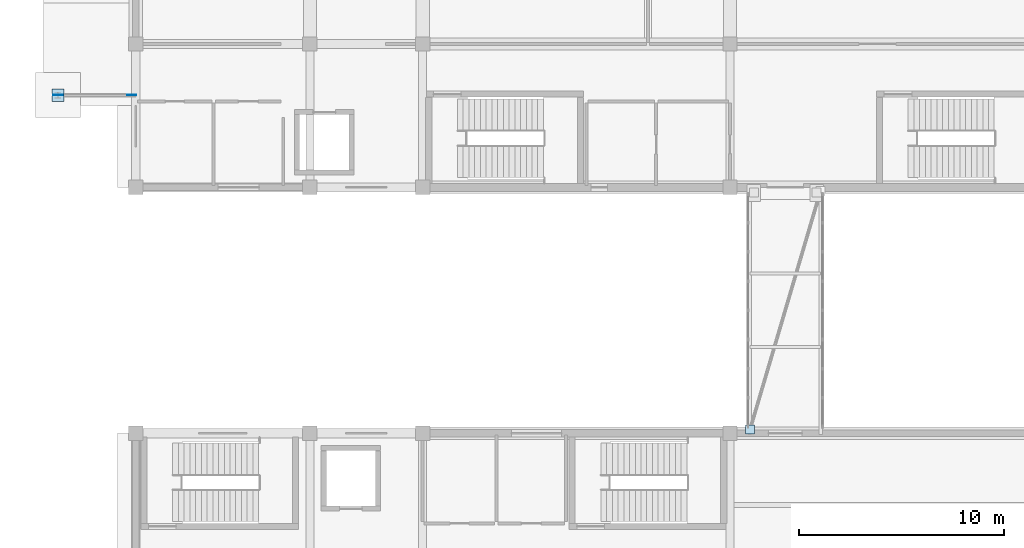
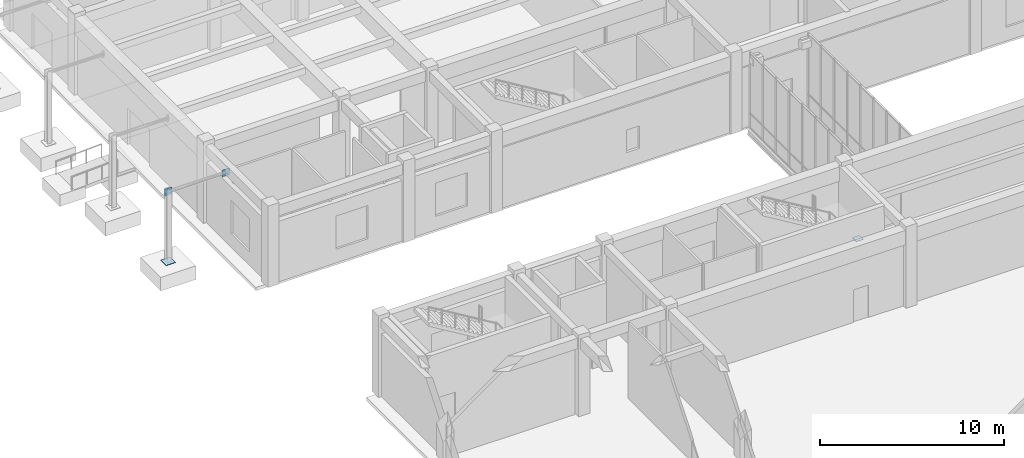
# One storey, part 14 of 40: 4 plates.
"""IFC4 building model written with IfcOpenShell, lengths in metres."""

import ifcopenshell
import ifcopenshell.guid

model = None  # the IFC model being written
_history = None  # IfcOwnerHistory: only IFC2X3 demands one
_inside = {}  # id of a spatial element -> (the spatial element, [elements in it])
_under = {}  # id of a project, library or spatial element -> (it, [spatial elements below it])
_declared = {}  # id of a project -> (the project, [libraries it declares])
_typed = {}  # id of a type object -> (the type object, [elements of that type])
_made_of = {}  # id of a material, layer set ... -> (it, [elements and type objects made of it])


def new_model(schema):
    """Start an empty IFC model of exactly this schema.

    Asked for "IFC4X3", IfcOpenShell would pick the latest addendum, in which some entities
    have other attributes; the version numbers below select the first issue.
    IFC2X3 requires an IfcOwnerHistory on every rooted entity: one is made here for all.
    """
    global model, _history
    if schema == "IFC4X3":
        model = ifcopenshell.file(schema_version=(4, 3, 0, 0))
    else:
        model = ifcopenshell.file(schema=schema)
    _inside.clear()
    _under.clear()
    _declared.clear()
    _typed.clear()
    _made_of.clear()
    _history = None
    if model.schema == "IFC2X3":
        org = make("IfcOrganization", Name="unknown")
        user = make(
            "IfcPersonAndOrganization",
            ThePerson=make("IfcPerson", FamilyName="unknown"),
            TheOrganization=org,
        )
        app = make(
            "IfcApplication",
            ApplicationDeveloper=org,
            Version="unknown",
            ApplicationFullName="unknown",
            ApplicationIdentifier="unknown",
        )
        _history = make(
            "IfcOwnerHistory",
            OwningUser=user,
            OwningApplication=app,
            ChangeAction="ADDED",
            CreationDate=0,
        )
    return model


def make(cls, **values):
    """One entity of the class cls with the attributes given. An attribute that is None is left unset."""
    return model.create_entity(
        cls, **{name: value for name, value in values.items() if value is not None}
    )


def rooted(cls, **values):
    """An entity with a GlobalId (a new one), such as an element, a storey or a relation."""
    return make(cls, GlobalId=ifcopenshell.guid.new(), OwnerHistory=_history, **values)


def si_unit(unit_type, name, prefix=None):
    """IfcSIUnit, for example si_unit("LENGTHUNIT", "METRE", prefix="MILLI")."""
    return make("IfcSIUnit", UnitType=unit_type, Prefix=prefix, Name=name)


def assignment(units):
    """IfcUnitAssignment: the units of a project."""
    return None if units is None else make("IfcUnitAssignment", Units=units)


def point(xyz):
    """IfcCartesianPoint."""
    return None if xyz is None else make("IfcCartesianPoint", Coordinates=xyz)


def direction(xyz):
    """IfcDirection."""
    return None if xyz is None else make("IfcDirection", DirectionRatios=xyz)


def frame(location, z_axis=None, x_axis=None):
    """IfcAxis2Placement3D, a coordinate frame: its origin and axes. An axis left out is left unset."""
    return make(
        "IfcAxis2Placement3D",
        Location=point(location),
        Axis=direction(z_axis),
        RefDirection=direction(x_axis),
    )


def frame_2d(location, x_axis=None):
    """IfcAxis2Placement2D, a coordinate frame in the plane: its origin and x axis."""
    return make(
        "IfcAxis2Placement2D", Location=point(location), RefDirection=direction(x_axis)
    )


def origin():
    """The frame at (0, 0, 0) with its axes left unset."""
    return frame((0.0, 0.0, 0.0))


def origin_2d():
    """The frame at (0, 0) in the plane with its x axis left unset."""
    return frame_2d((0.0, 0.0))


def place(relative_to, where):
    """IfcLocalPlacement: puts the frame where relative to a parent placement (None: the world)."""
    return make(
        "IfcLocalPlacement", PlacementRelTo=relative_to, RelativePlacement=where
    )


def context(
    kind, dimensions, precision=None, world=None, true_north=None, identifier=None
):
    """IfcGeometricRepresentationContext, for example the 3D "Model" context."""
    return make(
        "IfcGeometricRepresentationContext",
        ContextIdentifier=identifier,
        ContextType=kind,
        CoordinateSpaceDimension=dimensions,
        Precision=precision,
        WorldCoordinateSystem=world,
        TrueNorth=true_north,
    )


def subcontext(parent, identifier, kind, view, scale=None):
    """IfcGeometricRepresentationSubContext, for example "Body" below "Model"."""
    return make(
        "IfcGeometricRepresentationSubContext",
        ContextIdentifier=identifier,
        ContextType=kind,
        ParentContext=parent,
        TargetScale=scale,
        TargetView=view,
    )


def project(units=None, contexts=None):
    """IfcProject with its units and contexts."""
    return rooted(
        "IfcProject",
        Name="project",
        RepresentationContexts=contexts,
        UnitsInContext=assignment(units),
    )


def spatial(cls, under=None, at=None, **own):
    """A site, building, storey or space (cls), placed at a placement, below another one or the project."""
    s = rooted(cls, ObjectPlacement=at, **own)
    if under is not None:
        _under.setdefault(under.id(), (under, []))[1].append(s)
    return s


def profile(cls, at=None, kind="AREA", **sizes):
    """A parametric profile (cls). Its sizes go by their IFC names, for example OverallWidth=200.0."""
    return make(cls, ProfileType=kind, Position=at, **sizes)


def rectangle(**sizes):
    """IfcRectangleProfileDef."""
    return profile("IfcRectangleProfileDef", **sizes)


def extrude(swept, where, along, depth):
    """IfcExtrudedAreaSolid: the profile swept, set in the frame where, extruded along a direction by depth."""
    return make(
        "IfcExtrudedAreaSolid",
        SweptArea=swept,
        Position=where,
        ExtrudedDirection=direction(along),
        Depth=depth,
    )


def shape(context_of_items, identifier, shape_type, items):
    """IfcShapeRepresentation: the items that make up one representation, for example the "Body"."""
    return make(
        "IfcShapeRepresentation",
        ContextOfItems=context_of_items,
        RepresentationIdentifier=identifier,
        RepresentationType=shape_type,
        Items=items,
    )


def material(Name=None, Category=None):
    """IfcMaterial."""
    return make("IfcMaterial", Name=Name, Category=Category)


def layer(
    of_material, thickness, ventilated=None, Name=None, Category=None, Priority=None
):
    """IfcMaterialLayer: one layer of a wall or slab, of a material (None: an air gap)."""
    return make(
        "IfcMaterialLayer",
        Material=of_material,
        LayerThickness=thickness,
        IsVentilated=ventilated,
        Name=Name,
        Category=Category,
        Priority=Priority,
    )


def layer_set(layers, Name=None):
    """IfcMaterialLayerSet."""
    return make("IfcMaterialLayerSet", MaterialLayers=layers, LayerSetName=Name)


def made_of(thing, what):
    """Note that an element or type object is made of a material, layer set ...; save() writes the relation."""
    if what is not None:
        _made_of.setdefault(what.id(), (what, []))[1].append(thing)
    return thing


def type_object(cls, material=None, **own):
    """A type object (cls), such as IfcWallType, which elements share."""
    return made_of(rooted(cls, **own), material)


def element(
    cls,
    number,
    at=None,
    inside=None,
    cuts=None,
    type_object=None,
    material=None,
    context=None,
    identifier="Body",
    shape_type=None,
    held_by="IfcProductDefinitionShape",
    body=None,
    shapes=None,
    **own,
):
    """One element of the class cls, such as IfcWall. Its Tag is "e" and its number.

    at: its placement. inside: the storey or other place that contains it. cuts: it is an
    opening in that element (IfcRelVoidsElement). A single representation is given by context,
    identifier, shape_type and body (its items); several are given by shapes. held_by: the class
    of the entity that holds the representations. save() writes the other relations.
    """
    e = rooted(cls, Tag="e%d" % number, ObjectPlacement=at, **own)
    if body is not None:
        shapes = [shape(context, identifier, shape_type, body)]
    if shapes is not None:
        e.Representation = make(held_by, Representations=shapes)
    if inside is not None:
        _inside.setdefault(inside.id(), (inside, []))[1].append(e)
    if cuts is not None:
        rooted(
            "IfcRelVoidsElement", RelatingBuildingElement=cuts, RelatedOpeningElement=e
        )
    if type_object is not None:
        _typed.setdefault(type_object.id(), (type_object, []))[1].append(e)
    return made_of(e, material)


def aggregate(whole, parts):
    """IfcRelAggregates: a whole, such as a stair, and the parts it consists of."""
    return rooted("IfcRelAggregates", RelatingObject=whole, RelatedObjects=parts)


def save(model, path):
    """Write the relations noted so far, then the file.

    IfcRelAggregates (storeys below a building ...), IfcRelContainedInSpatialStructure (elements
    in a storey), IfcRelDefinesByType, IfcRelAssociatesMaterial and IfcRelDeclares: one each for
    every whole, place, type object, material and project.
    """
    for whole, parts in _under.values():
        aggregate(whole, parts)
    for where, things in _inside.values():
        rooted(
            "IfcRelContainedInSpatialStructure",
            RelatedElements=things,
            RelatingStructure=where,
        )
    for kind, things in _typed.values():
        rooted("IfcRelDefinesByType", RelatedObjects=things, RelatingType=kind)
    for what, things in _made_of.values():
        rooted("IfcRelAssociatesMaterial", RelatedObjects=things, RelatingMaterial=what)
    for by, libraries in _declared.values():
        rooted("IfcRelDeclares", RelatingContext=by, RelatedDefinitions=libraries)
    model.write(path)


model = new_model("IFC4")

# Units and contexts
model_context = context("Model", 3, precision=1e-05, world=origin(), true_north=direction((0.0, 1.0)))
body_context = subcontext(model_context, "Body", "Model", "MODEL_VIEW")
ifc_project = project(units=[si_unit("LENGTHUNIT", "METRE"), si_unit("AREAUNIT", "SQUARE_METRE"), si_unit("VOLUMEUNIT", "CUBIC_METRE"), si_unit("PLANEANGLEUNIT", "RADIAN"), si_unit("MASSUNIT", "GRAM", prefix="KILO")], contexts=[model_context])

# Site, building, storey
site_placement = place(None, origin())
site = spatial("IfcSite", under=ifc_project, at=site_placement, CompositionType="ELEMENT")
building_placement = place(site_placement, origin())
building = spatial("IfcBuilding", under=site, at=building_placement, Name="Naurynzar Civic Courthouse", CompositionType="ELEMENT")
storey_placement = place(building_placement, origin())
storey = spatial("IfcBuildingStorey", under=building, at=storey_placement, Name="L01", CompositionType="ELEMENT", Elevation=0.0)

# Plates
ifc_material_1 = material(Name="Steel S355", Category="steel")
ifc_layer_1 = layer(ifc_material_1, 0.030029296875)
ifc_layer_set_1 = layer_set([ifc_layer_1], Name="PLT-BASE-600x600x30")
plate_type_1 = type_object("IfcPlateType", Name="PLT-BASE-600x600x30", PredefinedType="USERDEFINED", material=ifc_layer_set_1)
plate_1_placement = place(storey_placement, frame((2.199951171875, 48.5, 0.0), z_axis=(0.0, 0.0, 1.0), x_axis=(1.0, 0.0, 0.0)))
element("IfcPlate", 1, at=plate_1_placement, inside=storey, type_object=plate_type_1, Name="West canopy column base plate 1", ObjectType="BASE PLATE", PredefinedType="USERDEFINED", context=body_context, shape_type="SweptSolid", body=[
    extrude(rectangle(XDim=0.60009765625, YDim=0.60009765625, at=origin_2d()), origin(), (0.0, 0.0, 1.0), 0.030029296875),
])
ifc_material_2 = material(Name="Steel S355", Category="steel")
ifc_layer_2 = layer(ifc_material_2, 0.02001953125)
ifc_layer_set_2 = layer_set([ifc_layer_2], Name="PLT-GUSSET-450x450x20")
plate_type_2 = type_object("IfcPlateType", Name="PLT-GUSSET-450x450x20", PredefinedType="USERDEFINED", material=ifc_layer_set_2)
plate_2_placement = place(storey_placement, frame((35.97998046875, 32.179931640625, -0.4150390625), z_axis=(0.0, 0.0, 1.0), x_axis=(1.0, 0.0, 0.0)))
element("IfcPlate", 2, at=plate_2_placement, inside=storey, type_object=plate_type_2, Name="BR-W1 wind brace gusset plate L01.1", ObjectType="GUSSET PLATE", PredefinedType="USERDEFINED", context=body_context, shape_type="SweptSolid", body=[
    extrude(rectangle(XDim=0.449951171875, YDim=0.449951171875, at=origin_2d()), origin(), (0.0, 0.0, 1.0), 0.02001953125),
])
for number, where, z_axis, x_axis, name in (
    (3, (2.199951171875, 48.5, 4.4248046875), (0.0, 0.0, 1.0), (1.0, 0.0, 0.0), "West canopy strut west gusset plate 1"),
    (4, (5.800048828125, 48.5, 4.4248046875), (0.0, 0.0, 1.0), (1.0, 0.0, 0.0), "West canopy strut east gusset plate 1"),
):
    element("IfcPlate", number, at=place(storey_placement, frame(where, z_axis=z_axis, x_axis=x_axis)), inside=storey, type_object=plate_type_2, Name=name, ObjectType="GUSSET PLATE", PredefinedType="USERDEFINED", context=body_context, shape_type="SweptSolid", body=[
        extrude(rectangle(XDim=0.449951171875, YDim=0.02001953125, at=origin_2d()), origin(), (0.0, 0.0, 1.0), 0.449951171875),
    ])

save(model, "model.ifc")
